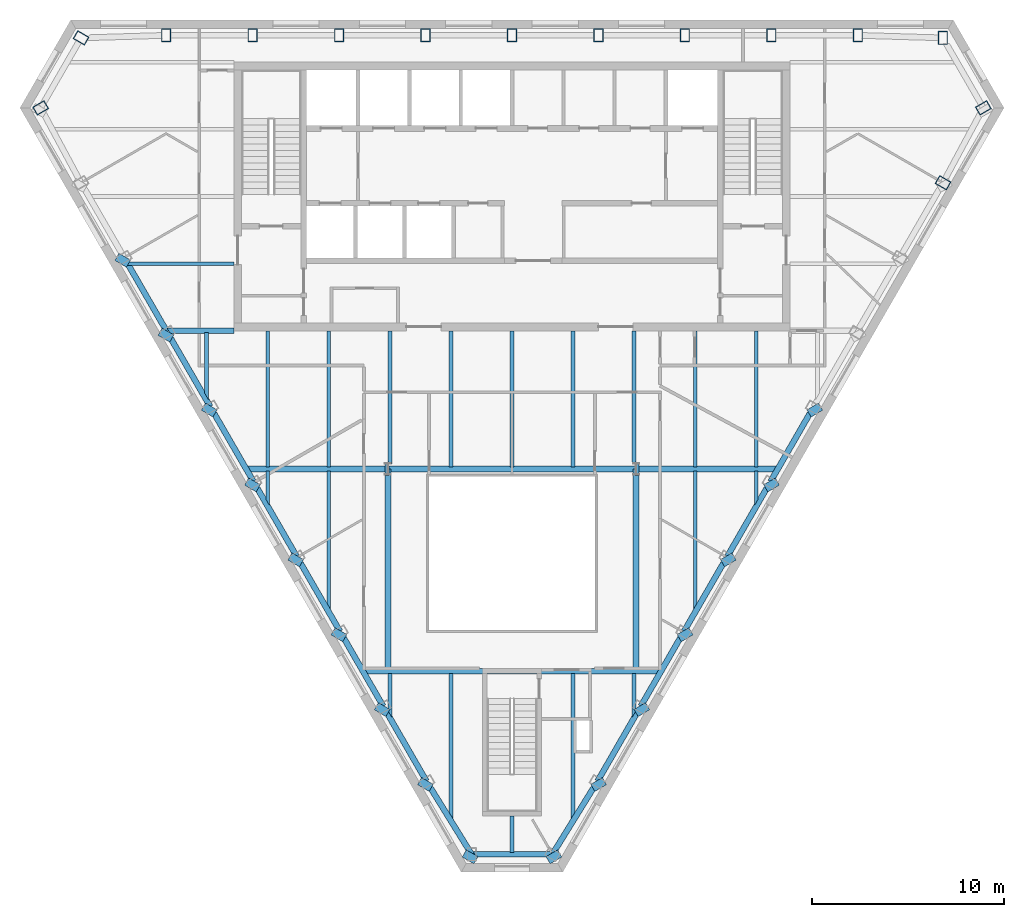
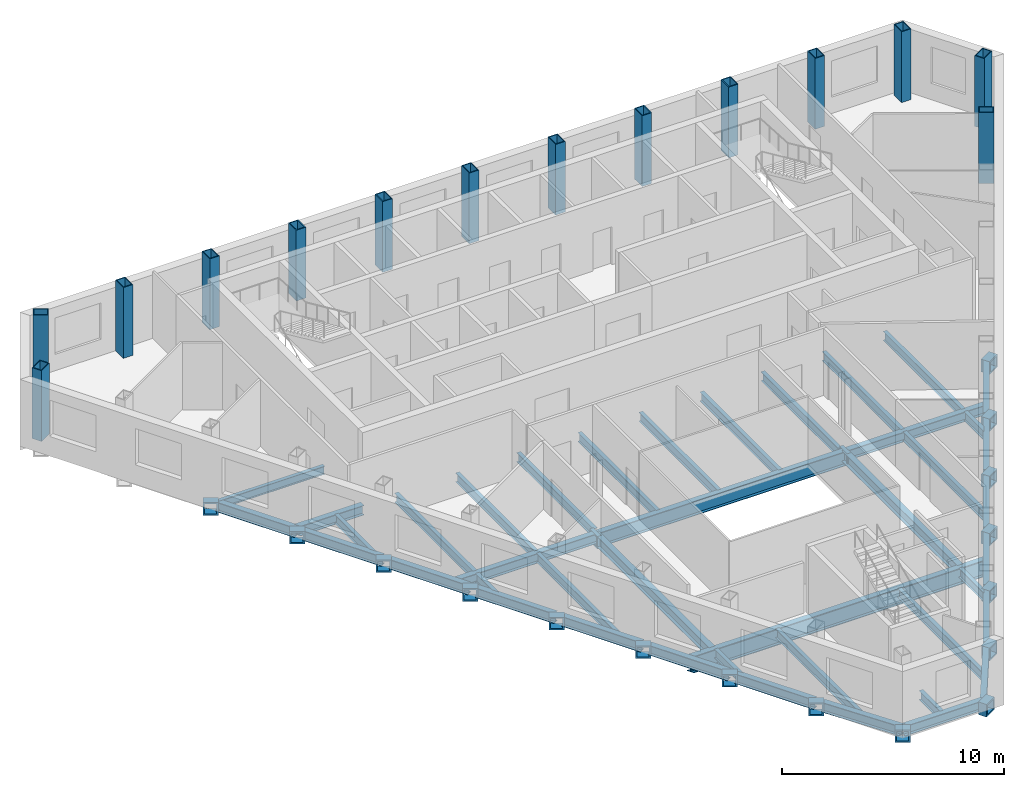
# One storey, part 2 of 10: 60 beams, 14 columns.
"""IFC4 building model written with IfcOpenShell, lengths in metres."""

from ifc_helpers import new_model, si_unit, direction, frame, origin, origin_2d, place, context, subcontext, project, spatial, hollow_rectangle, i_section, extrude, clip, halfspace, material, material_profile, profile_set, type_object, element, save


model = new_model("IFC4")

# Units and contexts
model_context = context("Model", 3, precision=1e-05, world=origin(), true_north=direction((0.0, 1.0)))
body_context = subcontext(model_context, "Body", "Model", "MODEL_VIEW")
ifc_project = project(units=[si_unit("LENGTHUNIT", "METRE"), si_unit("AREAUNIT", "SQUARE_METRE"), si_unit("VOLUMEUNIT", "CUBIC_METRE"), si_unit("PLANEANGLEUNIT", "RADIAN"), si_unit("MASSUNIT", "GRAM", prefix="KILO")], contexts=[model_context])

# Site, building, storey
site_placement = place(None, origin())
site = spatial("IfcSite", under=ifc_project, at=site_placement, CompositionType="ELEMENT")
building_placement = place(site_placement, origin())
building = spatial("IfcBuilding", under=site, at=building_placement, Name="Njiva Tower", CompositionType="ELEMENT")
storey_placement = place(building_placement, frame((0.0, 0.0, 280.5)))
storey = spatial("IfcBuildingStorey", under=building, at=storey_placement, Name="L64", CompositionType="ELEMENT", Elevation=280.5)

# Columns
ifc_material = material(Name="Steel S355 J2", Category="steel")
ifc_material_profile_1 = material_profile(ifc_material, hollow_rectangle(XDim=0.5, YDim=0.7, WallThickness=0.045, at=origin_2d()), Name="BOX 700x500x45")
ifc_profile_set_1 = profile_set([ifc_material_profile_1], Name="Steel S355 J2")
column_type = type_object("IfcColumnType", Name="C13 Perimeter tube column BOX 700x500x45", PredefinedType="COLUMN", material=ifc_profile_set_1)
for number, where, z_axis, x_axis, name in (
    (1, (22.461, 19.267, 0.0), (0.0, 0.0, 1.0), (-1.0, 0.0, 0.0), "Perimeter tube column S21-C01"),
    (2, (18.03, 19.4, 0.0), (0.0, 0.0, 1.0), (-1.0, 0.0, 0.0), "Perimeter tube column S21-C02"),
    (3, (13.523, 19.4, 0.0), (0.0, 0.0, 1.0), (-1.0, 0.0, 0.0), "Perimeter tube column S21-C03"),
    (4, (9.015, 19.4, 0.0), (0.0, 0.0, 1.0), (-1.0, 0.0, 0.0), "Perimeter tube column S21-C04"),
    (5, (4.508, 19.4, 0.0), (0.0, 0.0, 1.0), (-1.0, 0.0, 0.0), "Perimeter tube column S21-C05"),
    (6, (0.0, 19.4, 0.0), (0.0, 0.0, 1.0), (-1.0, 0.0, 0.0), "Perimeter tube column S21-C06"),
    (7, (-4.508, 19.4, 0.0), (0.0, 0.0, 1.0), (-1.0, 0.0, 0.0), "Perimeter tube column S21-C07"),
    (8, (-9.015, 19.4, 0.0), (0.0, 0.0, 1.0), (-1.0, 0.0, 0.0), "Perimeter tube column S21-C08"),
    (9, (-13.523, 19.4, 0.0), (0.0, 0.0, 1.0), (-1.0, 0.0, 0.0), "Perimeter tube column S21-C09"),
    (10, (-18.03, 19.4, 0.0), (0.0, 0.0, 1.0), (-1.0, 0.0, 0.0), "Perimeter tube column S21-C10"),
    (11, (-22.461, 19.267, 0.0), (0.0, 0.0, 1.0), (-0.5, -0.866025403784, 0.0), "Perimeter tube column S21-C11"),
    (12, (-24.568, 15.619, 0.0), (0.0, 0.0, 1.0), (0.5, -0.866025403784, 0.0), "Perimeter tube column S21-C12"),
    (13, (22.467, 11.715, 0.0), (0.0, 0.0, 1.0), (0.5, 0.866025403784, 0.0), "Perimeter tube column S21-C32"),
    (14, (24.568, 15.619, 0.0), (0.0, 0.0, 1.0), (-0.5, 0.866025403784, 0.0), "Perimeter tube column S21-C33"),
):
    element("IfcColumn", number, at=place(storey_placement, frame(where, z_axis=z_axis, x_axis=x_axis)), inside=storey, type_object=column_type, Name=name, PredefinedType="COLUMN", context=body_context, shape_type="SweptSolid", body=[
        extrude(hollow_rectangle(XDim=0.5, YDim=0.7, WallThickness=0.045, at=origin_2d()), origin(), (0.0, 0.0, 1.0), 3.9),
    ])

# Beams
ifc_material_profile_2 = material_profile(ifc_material, hollow_rectangle(XDim=0.7, YDim=0.7, WallThickness=0.08, at=origin_2d()), Name="BOX 700x700x80")
ifc_profile_set_2 = profile_set([ifc_material_profile_2], Name="Steel S355 J2")
beam_type_1 = type_object("IfcBeamType", Name="B19 Column jog beam BOX 700x700x80", PredefinedType="BEAM", material=ifc_profile_set_2)
beam_1_placement = place(storey_placement, frame((-20.399, 7.491, -0.55), z_axis=(0.500393920955, 0.865797853931, 0.0), x_axis=(-0.865797853931, 0.500393920955, 0.0)))
element("IfcBeam", 15, at=beam_1_placement, inside=storey, type_object=beam_type_1, Name="Column jog beam S21-B019", PredefinedType="BEAM", context=body_context, shape_type="SweptSolid", body=[
    extrude(hollow_rectangle(XDim=0.7, YDim=0.7, WallThickness=0.08, at=origin_2d()), origin(), (0.0, 0.0, 1.0), 0.4297),
])
for number, where, z_axis, x_axis, name in (
    (16, (-18.145, 3.587, -0.55), (0.499387282788, 0.866378867349, 0.0), (-0.866378867349, 0.499387282788, 0.0), "Column jog beam S21-B020"),
    (17, (-15.891, -0.317, -0.55), (0.499387282788, 0.866378867349, 0.0), (-0.866378867349, 0.499387282788, 0.0), "Column jog beam S21-B021"),
):
    element("IfcBeam", number, at=place(storey_placement, frame(where, z_axis=z_axis, x_axis=x_axis)), inside=storey, type_object=beam_type_1, Name=name, PredefinedType="BEAM", context=body_context, shape_type="SweptSolid", body=[
        extrude(hollow_rectangle(XDim=0.7, YDim=0.7, WallThickness=0.08, at=origin_2d()), origin(), (0.0, 0.0, 1.0), 0.4305),
    ])
for number, where, z_axis, x_axis, name in (
    (18, (-13.637, -4.22, -0.55), (0.500393920955, 0.865797853931, 0.0), (-0.865797853931, 0.500393920955, 0.0), "Column jog beam S21-B022"),
    (19, (-11.383, -8.124, -0.55), (0.500393920955, 0.865797853931, 0.0), (-0.865797853931, 0.500393920955, 0.0), "Column jog beam S21-B023"),
):
    element("IfcBeam", number, at=place(storey_placement, frame(where, z_axis=z_axis, x_axis=x_axis)), inside=storey, type_object=beam_type_1, Name=name, PredefinedType="BEAM", context=body_context, shape_type="SweptSolid", body=[
        extrude(hollow_rectangle(XDim=0.7, YDim=0.7, WallThickness=0.08, at=origin_2d()), origin(), (0.0, 0.0, 1.0), 0.4297),
    ])
beam_2_placement = place(storey_placement, frame((-9.13, -12.028, -0.55), z_axis=(0.499387282788, 0.866378867349, 0.0), x_axis=(-0.866378867349, 0.499387282788, 0.0)))
element("IfcBeam", 20, at=beam_2_placement, inside=storey, type_object=beam_type_1, Name="Column jog beam S21-B024", PredefinedType="BEAM", context=body_context, shape_type="SweptSolid", body=[
    extrude(hollow_rectangle(XDim=0.7, YDim=0.7, WallThickness=0.08, at=origin_2d()), origin(), (0.0, 0.0, 1.0), 0.4305),
])
for number, where, z_axis, x_axis, name in (
    (21, (-6.876, -15.931, -0.55), (0.500393920955, 0.865797853931, 0.0), (-0.865797853931, 0.500393920955, 0.0), "Column jog beam S21-B025"),
    (22, (-4.622, -19.835, -0.55), (0.500393920955, 0.865797853931, 0.0), (-0.865797853931, 0.500393920955, 0.0), "Column jog beam S21-B027"),
):
    element("IfcBeam", number, at=place(storey_placement, frame(where, z_axis=z_axis, x_axis=x_axis)), inside=storey, type_object=beam_type_1, Name=name, PredefinedType="BEAM", context=body_context, shape_type="SweptSolid", body=[
        extrude(hollow_rectangle(XDim=0.7, YDim=0.7, WallThickness=0.08, at=origin_2d()), origin(), (0.0, 0.0, 1.0), 0.4297),
    ])
for number, where, z_axis, x_axis, name in (
    (23, (-2.291, -23.606, -0.55), (0.499387282788, 0.866378867349, 0.0), (-0.866378867349, 0.499387282788, 0.0), "Column jog beam S21-B028"),
    (24, (2.291, -23.606, -0.55), (-0.499387282788, 0.866378867349, 0.0), (-0.866378867349, -0.499387282788, 0.0), "Column jog beam S21-B029"),
):
    element("IfcBeam", number, at=place(storey_placement, frame(where, z_axis=z_axis, x_axis=x_axis)), inside=storey, type_object=beam_type_1, Name=name, PredefinedType="BEAM", context=body_context, shape_type="SweptSolid", body=[
        extrude(hollow_rectangle(XDim=0.7, YDim=0.7, WallThickness=0.08, at=origin_2d()), origin(), (0.0, 0.0, 1.0), 0.4305),
    ])
for number, where, z_axis, x_axis, name in (
    (25, (4.622, -19.835, -0.55), (-0.500393920955, 0.865797853931, 0.0), (-0.865797853931, -0.500393920955, 0.0), "Column jog beam S21-B030"),
    (26, (6.876, -15.931, -0.55), (-0.500393920955, 0.865797853931, 0.0), (-0.865797853931, -0.500393920955, 0.0), "Column jog beam S21-B032"),
):
    element("IfcBeam", number, at=place(storey_placement, frame(where, z_axis=z_axis, x_axis=x_axis)), inside=storey, type_object=beam_type_1, Name=name, PredefinedType="BEAM", context=body_context, shape_type="SweptSolid", body=[
        extrude(hollow_rectangle(XDim=0.7, YDim=0.7, WallThickness=0.08, at=origin_2d()), origin(), (0.0, 0.0, 1.0), 0.4297),
    ])
beam_3_placement = place(storey_placement, frame((9.13, -12.028, -0.55), z_axis=(-0.499387282788, 0.866378867349, 0.0), x_axis=(-0.866378867349, -0.499387282788, 0.0)))
element("IfcBeam", 27, at=beam_3_placement, inside=storey, type_object=beam_type_1, Name="Column jog beam S21-B033", PredefinedType="BEAM", context=body_context, shape_type="SweptSolid", body=[
    extrude(hollow_rectangle(XDim=0.7, YDim=0.7, WallThickness=0.08, at=origin_2d()), origin(), (0.0, 0.0, 1.0), 0.4305),
])
for number, where, z_axis, x_axis, name in (
    (28, (11.383, -8.124, -0.55), (-0.500393920955, 0.865797853931, 0.0), (-0.865797853931, -0.500393920955, 0.0), "Column jog beam S21-B034"),
    (29, (13.637, -4.22, -0.55), (-0.500393920955, 0.865797853931, 0.0), (-0.865797853931, -0.500393920955, 0.0), "Column jog beam S21-B035"),
):
    element("IfcBeam", number, at=place(storey_placement, frame(where, z_axis=z_axis, x_axis=x_axis)), inside=storey, type_object=beam_type_1, Name=name, PredefinedType="BEAM", context=body_context, shape_type="SweptSolid", body=[
        extrude(hollow_rectangle(XDim=0.7, YDim=0.7, WallThickness=0.08, at=origin_2d()), origin(), (0.0, 0.0, 1.0), 0.4297),
    ])
beam_4_placement = place(storey_placement, frame((15.891, -0.317, -0.55), z_axis=(-0.499387282788, 0.866378867349, 0.0), x_axis=(-0.866378867349, -0.499387282788, 0.0)))
element("IfcBeam", 30, at=beam_4_placement, inside=storey, type_object=beam_type_1, Name="Column jog beam S21-B036", PredefinedType="BEAM", context=body_context, shape_type="SweptSolid", body=[
    extrude(hollow_rectangle(XDim=0.7, YDim=0.7, WallThickness=0.08, at=origin_2d()), origin(), (0.0, 0.0, 1.0), 0.4305),
])
for number, where, z_axis, x_axis, name in (
    (31, (6.61, -3.2, -0.55), (-1.0, 0.0, 0.0), (0.0, -1.0, 0.0), "Column jog beam S21-B031"),
    (32, (-6.61, -3.2, -0.55), (1.0, 0.0, 0.0), (0.0, 1.0, 0.0), "Column jog beam S21-B026"),
):
    element("IfcBeam", number, at=place(storey_placement, frame(where, z_axis=z_axis, x_axis=x_axis)), inside=storey, type_object=beam_type_1, Name=name, PredefinedType="BEAM", context=body_context, shape_type="SweptSolid", body=[
        extrude(hollow_rectangle(XDim=0.7, YDim=0.7, WallThickness=0.08, at=origin_2d()), origin(), (0.0, 0.0, 1.0), 0.2),
    ])
ifc_material_profile_3 = material_profile(ifc_material, i_section(OverallWidth=0.3, OverallDepth=0.59, WebThickness=0.013, FlangeThickness=0.025, at=origin_2d()), Name="HEA 600")
ifc_profile_set_3 = profile_set([ifc_material_profile_3], Name="Steel S355 J2")
beam_type_2 = type_object("IfcBeamType", Name="B30 Long-span atrium trimmer beam HEA 600", PredefinedType="BEAM", material=ifc_profile_set_3)
for number, where, z_axis, x_axis, name in (
    (33, (6.47, -13.649, -0.495), (0.0, 1.0, 0.0), (-1.0, 0.0, 0.0), "Long-span atrium trimmer beam S21-B066"),
    (34, (-6.47, -3.2, -0.495), (0.0, -1.0, 0.0), (1.0, 0.0, 0.0), "Long-span atrium trimmer beam S21-B063"),
):
    element("IfcBeam", number, at=place(storey_placement, frame(where, z_axis=z_axis, x_axis=x_axis)), inside=storey, type_object=beam_type_2, Name=name, PredefinedType="BEAM", context=body_context, shape_type="SweptSolid", body=[
        extrude(i_section(OverallWidth=0.3, OverallDepth=0.59, WebThickness=0.013, FlangeThickness=0.025, at=origin_2d()), origin(), (0.0, 0.0, 1.0), 10.449),
    ])
ifc_material_profile_4 = material_profile(ifc_material, i_section(OverallWidth=0.19, OverallDepth=0.45, WebThickness=0.0094, FlangeThickness=0.0146, at=origin_2d()), Name="IPE 450")
ifc_profile_set_4 = profile_set([ifc_material_profile_4], Name="Steel S355 J2")
beam_type_3 = type_object("IfcBeamType", Name="B37 Floor beam to the core IPE 450", PredefinedType="BEAM", material=ifc_profile_set_4)
beam_5_placement = place(storey_placement, frame((-20.228, 7.5, -0.425), z_axis=(1.0, 0.0, 0.0), x_axis=(0.0, 1.0, 0.0)))
element("IfcBeam", 35, at=beam_5_placement, inside=storey, type_object=beam_type_3, Name="Floor beam to the core S21-B004", PredefinedType="BEAM", context=body_context, shape_type="Clipping", body=[
    clip(extrude(i_section(OverallWidth=0.19, OverallDepth=0.45, WebThickness=0.0094, FlangeThickness=0.0146, at=origin_2d()), origin(), (0.0, 0.0, 1.0), 5.728), halfspace(frame((0.0433, 0.0, 0.2595), z_axis=(0.866026552831, 0.0, -0.499998009787), x_axis=(0.0, -1.0, 0.0)), False)),
])
ifc_material_profile_5 = material_profile(ifc_material, i_section(OverallWidth=0.3, OverallDepth=0.54, WebThickness=0.0125, FlangeThickness=0.024, at=origin_2d()), Name="HEA 550")
ifc_profile_set_5 = profile_set([ifc_material_profile_5], Name="Steel S355 J2")
beam_type_4 = type_object("IfcBeamType", Name="B39 Short-span spandrel beam HEA 550", PredefinedType="SPANDREL", material=ifc_profile_set_5)
for number, where, z_axis, x_axis, name in (
    (36, (-20.036, 7.504, -0.47), (0.500066662559, -0.865986912717, 0.0), (0.865986912717, 0.500066662559, 0.0), "Short-span spandrel beam S21-B075"),
    (37, (-17.782, 3.6, -0.47), (0.500066662559, -0.865986912717, 0.0), (0.865986912717, 0.500066662559, 0.0), "Short-span spandrel beam S21-B078"),
):
    element("IfcBeam", number, at=place(storey_placement, frame(where, z_axis=z_axis, x_axis=x_axis)), inside=storey, type_object=beam_type_4, Name=name, PredefinedType="SPANDREL", context=body_context, shape_type="SweptSolid", body=[
        extrude(i_section(OverallWidth=0.3, OverallDepth=0.54, WebThickness=0.0125, FlangeThickness=0.024, at=origin_2d()), origin(), (0.0, 0.0, 1.0), 4.1075),
    ])
beam_6_placement = place(storey_placement, frame((-15.528, -0.304, -0.47), z_axis=(0.49988405051, -0.866092336905, 0.0), x_axis=(0.866092336905, 0.49988405051, 0.0)))
element("IfcBeam", 38, at=beam_6_placement, inside=storey, type_object=beam_type_4, Name="Short-span spandrel beam S21-B080", PredefinedType="SPANDREL", context=body_context, shape_type="SweptSolid", body=[
    extrude(i_section(OverallWidth=0.3, OverallDepth=0.54, WebThickness=0.0125, FlangeThickness=0.024, at=origin_2d()), origin(), (0.0, 0.0, 1.0), 4.107),
])
beam_7_placement = place(storey_placement, frame((-13.275, -4.207, -0.47), z_axis=(0.499961250474, -0.866047774678, 0.0), x_axis=(0.866047774678, 0.499961250474, 0.0)))
element("IfcBeam", 39, at=beam_7_placement, inside=storey, type_object=beam_type_4, Name="Short-span spandrel beam S21-B083", PredefinedType="SPANDREL", context=body_context, shape_type="SweptSolid", body=[
    extrude(i_section(OverallWidth=0.3, OverallDepth=0.54, WebThickness=0.0125, FlangeThickness=0.024, at=origin_2d()), origin(), (0.0, 0.0, 1.0), 4.1083),
])
for number, where, z_axis, x_axis, name in (
    (40, (-11.021, -8.111, -0.47), (0.500066662559, -0.865986912717, 0.0), (0.865986912717, 0.500066662559, 0.0), "Short-span spandrel beam S21-B085"),
    (41, (-8.767, -12.015, -0.47), (0.500066662559, -0.865986912717, 0.0), (0.865986912717, 0.500066662559, 0.0), "Short-span spandrel beam S21-B088"),
):
    element("IfcBeam", number, at=place(storey_placement, frame(where, z_axis=z_axis, x_axis=x_axis)), inside=storey, type_object=beam_type_4, Name=name, PredefinedType="SPANDREL", context=body_context, shape_type="SweptSolid", body=[
        extrude(i_section(OverallWidth=0.3, OverallDepth=0.54, WebThickness=0.0125, FlangeThickness=0.024, at=origin_2d()), origin(), (0.0, 0.0, 1.0), 4.1075),
    ])
beam_8_placement = place(storey_placement, frame((-6.514, -15.918, -0.47), z_axis=(0.499961250474, -0.866047774678, 0.0), x_axis=(0.866047774678, 0.499961250474, 0.0)))
element("IfcBeam", 42, at=beam_8_placement, inside=storey, type_object=beam_type_4, Name="Short-span spandrel beam S21-B090", PredefinedType="SPANDREL", context=body_context, shape_type="SweptSolid", body=[
    extrude(i_section(OverallWidth=0.3, OverallDepth=0.54, WebThickness=0.0125, FlangeThickness=0.024, at=origin_2d()), origin(), (0.0, 0.0, 1.0), 4.1083),
])
beam_9_placement = place(storey_placement, frame((-4.25, -19.818, -0.47), z_axis=(0.525809071326, -0.850602621975, 0.0), x_axis=(0.850602621975, 0.525809071326, 0.0)))
element("IfcBeam", 43, at=beam_9_placement, inside=storey, type_object=beam_type_4, Name="Short-span spandrel beam S21-B093", PredefinedType="SPANDREL", context=body_context, shape_type="Clipping", body=[
    clip(extrude(i_section(OverallWidth=0.3, OverallDepth=0.54, WebThickness=0.0125, FlangeThickness=0.024, at=origin_2d()), origin(), (0.0, 0.0, 1.0), 4.1525), halfspace(frame((-0.0259, 0.0, 4.0235), z_axis=(-0.525809071326, 0.0, 0.850602621975), x_axis=(0.0, 1.0, 0.0)), False)),
])
beam_10_placement = place(storey_placement, frame((-2.061, -23.285, -0.47), z_axis=(1.0, 0.0, 0.0), x_axis=(0.0, 1.0, 0.0)))
element("IfcBeam", 44, at=beam_10_placement, inside=storey, type_object=beam_type_4, Name="Short-span spandrel beam S21-B094", PredefinedType="SPANDREL", context=body_context, shape_type="Clipping", body=[
    clip(extrude(i_section(OverallWidth=0.3, OverallDepth=0.54, WebThickness=0.0125, FlangeThickness=0.024, at=origin_2d()), origin(), (0.0, 0.0, 1.0), 4.238), halfspace(frame((-0.0253, 0.0, 4.1163), z_axis=(-0.499998009787, 0.0, 0.866026552831), x_axis=(0.0, 1.0, 0.0)), False)),
])
beam_11_placement = place(storey_placement, frame((2.132, -23.244, -0.47), z_axis=(0.525841693191, 0.850582455558, 0.0), x_axis=(-0.850582455558, 0.525841693191, 0.0)))
element("IfcBeam", 45, at=beam_11_placement, inside=storey, type_object=beam_type_4, Name="Short-span spandrel beam S21-B097", PredefinedType="SPANDREL", context=body_context, shape_type="SweptSolid", body=[
    extrude(i_section(OverallWidth=0.3, OverallDepth=0.54, WebThickness=0.0125, FlangeThickness=0.024, at=origin_2d()), origin(), (0.0, 0.0, 1.0), 4.0278),
])
beam_12_placement = place(storey_placement, frame((4.46, -19.476, -0.47), z_axis=(0.499961250474, 0.866047774678, 0.0), x_axis=(-0.866047774678, 0.499961250474, 0.0)))
element("IfcBeam", 46, at=beam_12_placement, inside=storey, type_object=beam_type_4, Name="Short-span spandrel beam S21-B099", PredefinedType="SPANDREL", context=body_context, shape_type="SweptSolid", body=[
    extrude(i_section(OverallWidth=0.3, OverallDepth=0.54, WebThickness=0.0125, FlangeThickness=0.024, at=origin_2d()), origin(), (0.0, 0.0, 1.0), 4.1083),
])
for number, where, z_axis, x_axis, name in (
    (47, (6.713, -15.572, -0.47), (0.500066662559, 0.865986912717, 0.0), (-0.865986912717, 0.500066662559, 0.0), "Short-span spandrel beam S21-B102"),
    (48, (8.967, -11.668, -0.47), (0.500066662559, 0.865986912717, 0.0), (-0.865986912717, 0.500066662559, 0.0), "Short-span spandrel beam S21-B104"),
):
    element("IfcBeam", number, at=place(storey_placement, frame(where, z_axis=z_axis, x_axis=x_axis)), inside=storey, type_object=beam_type_4, Name=name, PredefinedType="SPANDREL", context=body_context, shape_type="SweptSolid", body=[
        extrude(i_section(OverallWidth=0.3, OverallDepth=0.54, WebThickness=0.0125, FlangeThickness=0.024, at=origin_2d()), origin(), (0.0, 0.0, 1.0), 4.1075),
    ])
beam_13_placement = place(storey_placement, frame((11.221, -7.765, -0.47), z_axis=(0.499961250474, 0.866047774678, 0.0), x_axis=(-0.866047774678, 0.499961250474, 0.0)))
element("IfcBeam", 49, at=beam_13_placement, inside=storey, type_object=beam_type_4, Name="Short-span spandrel beam S21-B107", PredefinedType="SPANDREL", context=body_context, shape_type="SweptSolid", body=[
    extrude(i_section(OverallWidth=0.3, OverallDepth=0.54, WebThickness=0.0125, FlangeThickness=0.024, at=origin_2d()), origin(), (0.0, 0.0, 1.0), 4.1083),
])
beam_14_placement = place(storey_placement, frame((13.475, -3.861, -0.47), z_axis=(0.49988405051, 0.866092336905, 0.0), x_axis=(-0.866092336905, 0.49988405051, 0.0)))
element("IfcBeam", 50, at=beam_14_placement, inside=storey, type_object=beam_type_4, Name="Short-span spandrel beam S21-B109", PredefinedType="SPANDREL", context=body_context, shape_type="SweptSolid", body=[
    extrude(i_section(OverallWidth=0.3, OverallDepth=0.54, WebThickness=0.0125, FlangeThickness=0.024, at=origin_2d()), origin(), (0.0, 0.0, 1.0), 4.107),
])
ifc_material_profile_6 = material_profile(ifc_material, i_section(OverallWidth=0.3, OverallDepth=0.54, WebThickness=0.0125, FlangeThickness=0.024, at=origin_2d()), Name="HEA 550")
ifc_profile_set_6 = profile_set([ifc_material_profile_6], Name="Steel S355 J2")
beam_type_5 = type_object("IfcBeamType", Name="B40 Floor girder HEA 550", PredefinedType="BEAM", material=ifc_profile_set_6)
beam_15_placement = place(storey_placement, frame((-13.848, -3.2, -0.47), z_axis=(1.0, 0.0, 0.0), x_axis=(0.0, 1.0, 0.0)))
element("IfcBeam", 51, at=beam_15_placement, inside=storey, type_object=beam_type_5, Name="Floor girder S21-B013", PredefinedType="BEAM", context=body_context, shape_type="Clipping", body=[
    clip(extrude(i_section(OverallWidth=0.3, OverallDepth=0.54, WebThickness=0.0125, FlangeThickness=0.024, at=origin_2d()), origin(), (0.0, 0.0, 1.0), 7.378), halfspace(frame((-0.025, 0.0, 0.1217), z_axis=(-0.499998009787, 0.0, -0.866026552831), x_axis=(0.0, -1.0, 0.0)), False)),
])
beam_16_placement = place(storey_placement, frame((6.47, -3.2, -0.47), z_axis=(1.0, 0.0, 0.0), x_axis=(0.0, 1.0, 0.0)))
element("IfcBeam", 52, at=beam_16_placement, inside=storey, type_object=beam_type_5, Name="Floor girder S21-B014", PredefinedType="BEAM", context=body_context, shape_type="Clipping", body=[
    clip(extrude(i_section(OverallWidth=0.3, OverallDepth=0.54, WebThickness=0.0125, FlangeThickness=0.024, at=origin_2d()), origin(), (0.0, 0.0, 1.0), 7.378), halfspace(frame((-0.025, 0.0, 7.2563), z_axis=(-0.499998009787, 0.0, 0.866026552831), x_axis=(0.0, 1.0, 0.0)), False)),
])
ifc_material_profile_7 = material_profile(ifc_material, i_section(OverallWidth=0.3, OverallDepth=0.54, WebThickness=0.0125, FlangeThickness=0.024, at=origin_2d()), Name="HEA 550")
ifc_profile_set_7 = profile_set([ifc_material_profile_7], Name="Steel S355 J2")
beam_type_6 = type_object("IfcBeamType", Name="B41 Short-span floor girder HEA 550", PredefinedType="BEAM", material=ifc_profile_set_7)
beam_17_placement = place(storey_placement, frame((-18.005, 4.0, -0.47), z_axis=(1.0, 0.0, 0.0), x_axis=(0.0, 1.0, 0.0)))
element("IfcBeam", 53, at=beam_17_placement, inside=storey, type_object=beam_type_6, Name="Short-span floor girder S21-B011", PredefinedType="BEAM", context=body_context, shape_type="Clipping", body=[
    clip(extrude(i_section(OverallWidth=0.3, OverallDepth=0.54, WebThickness=0.0125, FlangeThickness=0.024, at=origin_2d()), origin(), (0.0, 0.0, 1.0), 3.505), halfspace(frame((-0.025, 0.0, 0.1217), z_axis=(-0.499998009787, 0.0, -0.866026552831), x_axis=(0.0, -1.0, 0.0)), False)),
])
ifc_material_profile_8 = material_profile(ifc_material, i_section(OverallWidth=0.2, OverallDepth=0.5, WebThickness=0.0102, FlangeThickness=0.016, at=origin_2d()), Name="IPE 500")
ifc_profile_set_8 = profile_set([ifc_material_profile_8], Name="Steel S355 J2")
beam_type_7 = type_object("IfcBeamType", Name="B42 Short-span floor joist IPE 500", PredefinedType="JOIST", material=ifc_profile_set_8)
beam_18_placement = place(storey_placement, frame((-15.917, 3.9, -0.45), z_axis=(0.0, -1.0, 0.0), x_axis=(1.0, 0.0, 0.0)))
element("IfcBeam", 54, at=beam_18_placement, inside=storey, type_object=beam_type_7, Name="Short-span floor joist S21-B041", PredefinedType="JOIST", context=body_context, shape_type="Clipping", body=[
    clip(extrude(i_section(OverallWidth=0.2, OverallDepth=0.5, WebThickness=0.0102, FlangeThickness=0.016, at=origin_2d()), origin(), (0.0, 0.0, 1.0), 3.524), halfspace(frame((-0.043, 0.0, 3.2562), z_axis=(-0.866026552831, 0.0, 0.499998009787), x_axis=(0.0, 1.0, 0.0)), False)),
])
beam_19_placement = place(storey_placement, frame((-12.733, -3.3, -0.45), z_axis=(0.0, -1.0, 0.0), x_axis=(1.0, 0.0, 0.0)))
element("IfcBeam", 55, at=beam_19_placement, inside=storey, type_object=beam_type_7, Name="Short-span floor joist S21-B042", PredefinedType="JOIST", context=body_context, shape_type="Clipping", body=[
    clip(extrude(i_section(OverallWidth=0.2, OverallDepth=0.5, WebThickness=0.0102, FlangeThickness=0.016, at=origin_2d()), origin(), (0.0, 0.0, 1.0), 1.838), halfspace(frame((-0.0436, 0.0, 1.5699), z_axis=(-0.866026552831, 0.0, 0.499998009787), x_axis=(0.0, 1.0, 0.0)), False)),
])
beam_20_placement = place(storey_placement, frame((-6.367, -13.851, -0.45), z_axis=(0.0, -1.0, 0.0), x_axis=(1.0, 0.0, 0.0)))
element("IfcBeam", 56, at=beam_20_placement, inside=storey, type_object=beam_type_7, Name="Short-span floor joist S21-B046", PredefinedType="JOIST", context=body_context, shape_type="Clipping", body=[
    clip(extrude(i_section(OverallWidth=0.2, OverallDepth=0.5, WebThickness=0.0102, FlangeThickness=0.016, at=origin_2d()), origin(), (0.0, 0.0, 1.0), 2.314), halfspace(frame((-0.043, 0.0, 2.0463), z_axis=(-0.866026552831, 0.0, 0.499998009787), x_axis=(0.0, 1.0, 0.0)), False)),
])
beam_21_placement = place(storey_placement, frame((0.0, -21.3, -0.45), z_axis=(0.0, -1.0, 0.0), x_axis=(1.0, 0.0, 0.0)))
element("IfcBeam", 57, at=beam_21_placement, inside=storey, type_object=beam_type_7, Name="Short-span floor joist S21-B050", PredefinedType="JOIST", context=body_context, shape_type="SweptSolid", body=[
    extrude(i_section(OverallWidth=0.2, OverallDepth=0.5, WebThickness=0.0102, FlangeThickness=0.016, at=origin_2d()), origin(), (0.0, 0.0, 1.0), 1.885),
])
beam_22_placement = place(storey_placement, frame((6.367, -13.851, -0.45), z_axis=(0.0, -1.0, 0.0), x_axis=(1.0, 0.0, 0.0)))
element("IfcBeam", 58, at=beam_22_placement, inside=storey, type_object=beam_type_7, Name="Short-span floor joist S21-B054", PredefinedType="JOIST", context=body_context, shape_type="Clipping", body=[
    clip(extrude(i_section(OverallWidth=0.2, OverallDepth=0.5, WebThickness=0.0102, FlangeThickness=0.016, at=origin_2d()), origin(), (0.0, 0.0, 1.0), 2.314), halfspace(frame((0.043, 0.0, 2.0463), z_axis=(0.866026552831, 0.0, 0.499998009787), x_axis=(0.0, 1.0, 0.0)), False)),
])
beam_23_placement = place(storey_placement, frame((12.733, -3.3, -0.45), z_axis=(0.0, -1.0, 0.0), x_axis=(1.0, 0.0, 0.0)))
element("IfcBeam", 59, at=beam_23_placement, inside=storey, type_object=beam_type_7, Name="Short-span floor joist S21-B058", PredefinedType="JOIST", context=body_context, shape_type="Clipping", body=[
    clip(extrude(i_section(OverallWidth=0.2, OverallDepth=0.5, WebThickness=0.0102, FlangeThickness=0.016, at=origin_2d()), origin(), (0.0, 0.0, 1.0), 1.838), halfspace(frame((0.0436, 0.0, 1.5699), z_axis=(0.866026552831, 0.0, 0.499998009787), x_axis=(0.0, 1.0, 0.0)), False)),
])
ifc_material_profile_9 = material_profile(ifc_material, i_section(OverallWidth=0.2, OverallDepth=0.5, WebThickness=0.0102, FlangeThickness=0.016, at=origin_2d()), Name="IPE 500")
ifc_profile_set_9 = profile_set([ifc_material_profile_9], Name="Steel S355 J2")
beam_type_8 = type_object("IfcBeamType", Name="B43 Floor joist IPE 500", PredefinedType="JOIST", material=ifc_profile_set_9)
for number, where, z_axis, x_axis, name in (
    (60, (-12.733, 3.995, -0.45), (0.0, -1.0, 0.0), (1.0, 0.0, 0.0), "Floor joist S21-B043"),
    (61, (-9.55, 3.995, -0.45), (0.0, -1.0, 0.0), (1.0, 0.0, 0.0), "Floor joist S21-B045"),
):
    element("IfcBeam", number, at=place(storey_placement, frame(where, z_axis=z_axis, x_axis=x_axis)), inside=storey, type_object=beam_type_8, Name=name, PredefinedType="JOIST", context=body_context, shape_type="SweptSolid", body=[
        extrude(i_section(OverallWidth=0.2, OverallDepth=0.5, WebThickness=0.0102, FlangeThickness=0.016, at=origin_2d()), origin(), (0.0, 0.0, 1.0), 7.095),
    ])
beam_24_placement = place(storey_placement, frame((-9.55, -3.3, -0.45), z_axis=(0.0, -1.0, 0.0), x_axis=(1.0, 0.0, 0.0)))
element("IfcBeam", 62, at=beam_24_placement, inside=storey, type_object=beam_type_8, Name="Floor joist S21-B044", PredefinedType="JOIST", context=body_context, shape_type="Clipping", body=[
    clip(extrude(i_section(OverallWidth=0.2, OverallDepth=0.5, WebThickness=0.0102, FlangeThickness=0.016, at=origin_2d()), origin(), (0.0, 0.0, 1.0), 7.352), halfspace(frame((-0.0433, 0.0, 7.0836), z_axis=(-0.866026552831, 0.0, 0.499998009787), x_axis=(0.0, 1.0, 0.0)), False)),
])
beam_25_placement = place(storey_placement, frame((-6.367, 3.995, -0.45), z_axis=(0.0, -1.0, 0.0), x_axis=(1.0, 0.0, 0.0)))
element("IfcBeam", 63, at=beam_25_placement, inside=storey, type_object=beam_type_8, Name="Floor joist S21-B047", PredefinedType="JOIST", context=body_context, shape_type="SweptSolid", body=[
    extrude(i_section(OverallWidth=0.2, OverallDepth=0.5, WebThickness=0.0102, FlangeThickness=0.016, at=origin_2d()), origin(), (0.0, 0.0, 1.0), 6.945),
])
beam_26_placement = place(storey_placement, frame((-3.183, 3.995, -0.45), z_axis=(0.0, -1.0, 0.0), x_axis=(1.0, 0.0, 0.0)))
element("IfcBeam", 64, at=beam_26_placement, inside=storey, type_object=beam_type_8, Name="Floor joist S21-B049", PredefinedType="JOIST", context=body_context, shape_type="SweptSolid", body=[
    extrude(i_section(OverallWidth=0.2, OverallDepth=0.5, WebThickness=0.0102, FlangeThickness=0.016, at=origin_2d()), origin(), (0.0, 0.0, 1.0), 7.095),
])
beam_27_placement = place(storey_placement, frame((-3.183, -13.851, -0.45), z_axis=(0.0, -1.0, 0.0), x_axis=(1.0, 0.0, 0.0)))
element("IfcBeam", 65, at=beam_27_placement, inside=storey, type_object=beam_type_8, Name="Floor joist S21-B048", PredefinedType="JOIST", context=body_context, shape_type="Clipping", body=[
    clip(extrude(i_section(OverallWidth=0.2, OverallDepth=0.5, WebThickness=0.0102, FlangeThickness=0.016, at=origin_2d()), origin(), (0.0, 0.0, 1.0), 7.684), halfspace(frame((-0.0429, 0.0, 7.4328), z_axis=(-0.850620428373, 0.0, 0.525780264783), x_axis=(0.0, 1.0, 0.0)), False)),
])
for number, where, z_axis, x_axis, name in (
    (66, (0.0, 3.995, -0.45), (0.0, -1.0, 0.0), (1.0, 0.0, 0.0), "Floor joist S21-B051"),
    (67, (3.183, 3.995, -0.45), (0.0, -1.0, 0.0), (1.0, 0.0, 0.0), "Floor joist S21-B053"),
):
    element("IfcBeam", number, at=place(storey_placement, frame(where, z_axis=z_axis, x_axis=x_axis)), inside=storey, type_object=beam_type_8, Name=name, PredefinedType="JOIST", context=body_context, shape_type="SweptSolid", body=[
        extrude(i_section(OverallWidth=0.2, OverallDepth=0.5, WebThickness=0.0102, FlangeThickness=0.016, at=origin_2d()), origin(), (0.0, 0.0, 1.0), 7.095),
    ])
beam_28_placement = place(storey_placement, frame((3.183, -13.851, -0.45), z_axis=(0.0, -1.0, 0.0), x_axis=(1.0, 0.0, 0.0)))
element("IfcBeam", 68, at=beam_28_placement, inside=storey, type_object=beam_type_8, Name="Floor joist S21-B052", PredefinedType="JOIST", context=body_context, shape_type="Clipping", body=[
    clip(extrude(i_section(OverallWidth=0.2, OverallDepth=0.5, WebThickness=0.0102, FlangeThickness=0.016, at=origin_2d()), origin(), (0.0, 0.0, 1.0), 7.684), halfspace(frame((0.0429, 0.0, 7.4328), z_axis=(0.850620428373, 0.0, 0.525780264783), x_axis=(0.0, 1.0, 0.0)), False)),
])
beam_29_placement = place(storey_placement, frame((6.367, 3.995, -0.45), z_axis=(0.0, -1.0, 0.0), x_axis=(1.0, 0.0, 0.0)))
element("IfcBeam", 69, at=beam_29_placement, inside=storey, type_object=beam_type_8, Name="Floor joist S21-B055", PredefinedType="JOIST", context=body_context, shape_type="SweptSolid", body=[
    extrude(i_section(OverallWidth=0.2, OverallDepth=0.5, WebThickness=0.0102, FlangeThickness=0.016, at=origin_2d()), origin(), (0.0, 0.0, 1.0), 6.945),
])
beam_30_placement = place(storey_placement, frame((9.55, 3.995, -0.45), z_axis=(0.0, -1.0, 0.0), x_axis=(1.0, 0.0, 0.0)))
element("IfcBeam", 70, at=beam_30_placement, inside=storey, type_object=beam_type_8, Name="Floor joist S21-B057", PredefinedType="JOIST", context=body_context, shape_type="SweptSolid", body=[
    extrude(i_section(OverallWidth=0.2, OverallDepth=0.5, WebThickness=0.0102, FlangeThickness=0.016, at=origin_2d()), origin(), (0.0, 0.0, 1.0), 7.095),
])
beam_31_placement = place(storey_placement, frame((9.55, -3.3, -0.45), z_axis=(0.0, -1.0, 0.0), x_axis=(1.0, 0.0, 0.0)))
element("IfcBeam", 71, at=beam_31_placement, inside=storey, type_object=beam_type_8, Name="Floor joist S21-B056", PredefinedType="JOIST", context=body_context, shape_type="Clipping", body=[
    clip(extrude(i_section(OverallWidth=0.2, OverallDepth=0.5, WebThickness=0.0102, FlangeThickness=0.016, at=origin_2d()), origin(), (0.0, 0.0, 1.0), 7.352), halfspace(frame((0.0433, 0.0, 7.0836), z_axis=(0.866026552831, 0.0, 0.499998009787), x_axis=(0.0, 1.0, 0.0)), False)),
])
beam_32_placement = place(storey_placement, frame((12.733, 3.995, -0.45), z_axis=(0.0, -1.0, 0.0), x_axis=(1.0, 0.0, 0.0)))
element("IfcBeam", 72, at=beam_32_placement, inside=storey, type_object=beam_type_8, Name="Floor joist S21-B059", PredefinedType="JOIST", context=body_context, shape_type="SweptSolid", body=[
    extrude(i_section(OverallWidth=0.2, OverallDepth=0.5, WebThickness=0.0102, FlangeThickness=0.016, at=origin_2d()), origin(), (0.0, 0.0, 1.0), 7.095),
])
ifc_material_profile_10 = material_profile(ifc_material, i_section(OverallWidth=0.302, OverallDepth=0.91, WebThickness=0.021, FlangeThickness=0.04, at=origin_2d()), Name="HEM 900")
ifc_profile_set_10 = profile_set([ifc_material_profile_10], Name="Steel S355 J2")
beam_type_9 = type_object("IfcBeamType", Name="B8 Long-span atrium trimmer beam HEM 900", PredefinedType="BEAM", material=ifc_profile_set_10)
beam_33_placement = place(storey_placement, frame((-7.757, -13.75, -0.655), z_axis=(1.0, 0.0, 0.0), x_axis=(0.0, 1.0, 0.0)))
element("IfcBeam", 73, at=beam_33_placement, inside=storey, type_object=beam_type_9, Name="Long-span atrium trimmer beam S21-B061", PredefinedType="BEAM", context=body_context, shape_type="Clipping", body=[
    clip(clip(extrude(i_section(OverallWidth=0.302, OverallDepth=0.91, WebThickness=0.021, FlangeThickness=0.04, at=origin_2d()), origin(), (0.0, 0.0, 1.0), 15.514), halfspace(frame((-0.025, 0.0, 0.1217), z_axis=(-0.499998009787, 0.0, -0.866026552831), x_axis=(0.0, -1.0, 0.0)), False)), halfspace(frame((-0.025, 0.0, 15.3923), z_axis=(-0.499998009787, 0.0, 0.866026552831), x_axis=(0.0, 1.0, 0.0)), False)),
])
ifc_material_profile_11 = material_profile(ifc_material, i_section(OverallWidth=0.3, OverallDepth=0.79, WebThickness=0.015, FlangeThickness=0.028, at=origin_2d()), Name="HEA 800")
ifc_profile_set_11 = profile_set([ifc_material_profile_11], Name="Steel S355 J2")
beam_type_10 = type_object("IfcBeamType", Name="B9 Long-span atrium trimmer beam HEA 800", PredefinedType="BEAM", material=ifc_profile_set_11)
beam_34_placement = place(storey_placement, frame((6.47, -3.2, -0.595), z_axis=(-1.0, 0.0, 0.0), x_axis=(0.0, -1.0, 0.0)))
element("IfcBeam", 74, at=beam_34_placement, inside=storey, type_object=beam_type_10, Name="Long-span atrium trimmer beam S21-B064", PredefinedType="BEAM", context=body_context, shape_type="SweptSolid", body=[
    extrude(i_section(OverallWidth=0.3, OverallDepth=0.79, WebThickness=0.015, FlangeThickness=0.028, at=origin_2d()), origin(), (0.0, 0.0, 1.0), 12.94),
])

save(model, "model.ifc")
